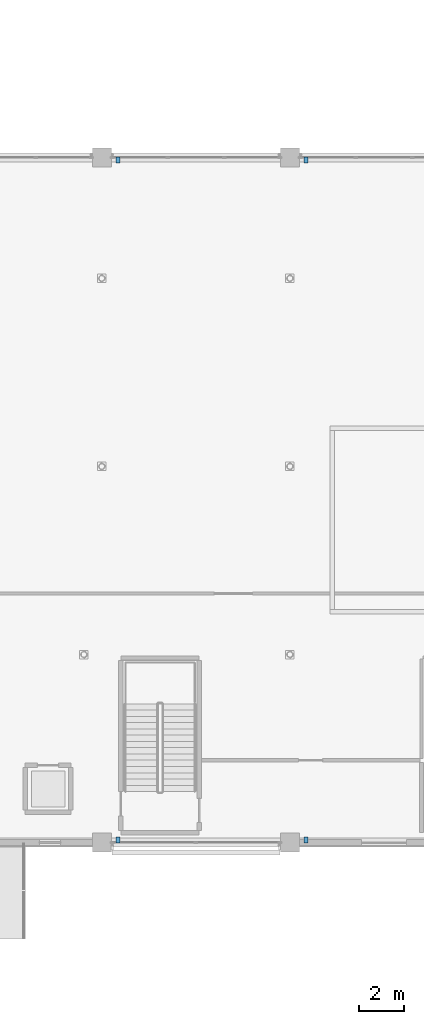
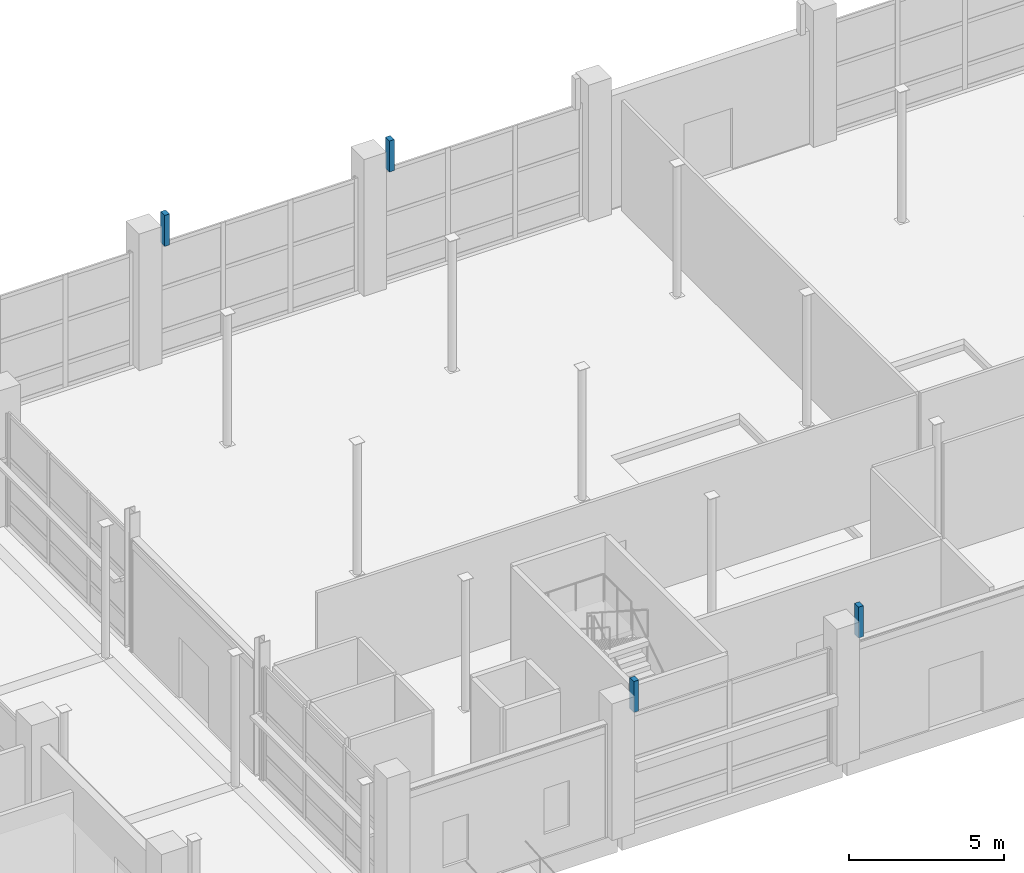
# One storey, part 67 of 140: 4 discrete accessories.
"""IFC4 building model written with IfcOpenShell, lengths in metres."""

from ifc_helpers import new_model, si_unit, direction, frame, origin, origin_2d, place, context, subcontext, project, spatial, rectangle, extrude, material, type_object, element, save


model = new_model("IFC4")

# Units and contexts
model_context = context("Model", 3, precision=1e-05, world=origin(), true_north=direction((0.0, 1.0)))
body_context = subcontext(model_context, "Body", "Model", "MODEL_VIEW")
ifc_project = project(units=[si_unit("LENGTHUNIT", "METRE"), si_unit("AREAUNIT", "SQUARE_METRE"), si_unit("VOLUMEUNIT", "CUBIC_METRE"), si_unit("PLANEANGLEUNIT", "RADIAN"), si_unit("MASSUNIT", "GRAM", prefix="KILO")], contexts=[model_context])

# Site, building, storey
site_placement = place(None, origin())
site = spatial("IfcSite", under=ifc_project, at=site_placement, CompositionType="ELEMENT")
building_placement = place(site_placement, origin())
building = spatial("IfcBuilding", under=site, at=building_placement, Name="Telukmera Botanical Conservatory", CompositionType="ELEMENT")
storey_placement = place(building_placement, origin())
storey = spatial("IfcBuildingStorey", under=building, at=storey_placement, Name="L00", CompositionType="ELEMENT", Elevation=0.0)

# Discrete accessories
ifc_material = material(Name="Steel S355", Category="steel")
discrete_accessory_type = type_object("IfcDiscreteAccessoryType", Name="Structural Steel Gridshell Glazing Shoe Bracket", PredefinedType="BRACKET", material=ifc_material)
for number, where, z_axis, x_axis, name in (
    (1, (126.719970703125, 17.719970703125, 4.43994140625), (0.0, 0.0, 1.0), (1.0, 0.0, 0.0), "Conservatory Eave Glazing Shoe Bracket 02-00"),
    (2, (126.719970703125, 48.080078125, 4.43994140625), (0.0, 0.0, 1.0), (1.0, 0.0, 0.0), "Conservatory Eave Glazing Shoe Bracket 02-12"),
    (3, (135.1201171875, 17.719970703125, 4.43994140625), (0.0, 0.0, 1.0), (1.0, 0.0, 0.0), "Conservatory Eave Glazing Shoe Bracket 04-00"),
    (4, (135.1201171875, 48.080078125, 4.43994140625), (0.0, 0.0, 1.0), (1.0, 0.0, 0.0), "Conservatory Eave Glazing Shoe Bracket 04-12"),
):
    element("IfcDiscreteAccessory", number, at=place(storey_placement, frame(where, z_axis=z_axis, x_axis=x_axis)), inside=storey, type_object=discrete_accessory_type, Name=name, PredefinedType="BRACKET", context=body_context, shape_type="SweptSolid", body=[
        extrude(rectangle(XDim=0.179931640625, YDim=0.260009765625, at=origin_2d()), origin(), (0.0, 0.0, 1.0), 1.22509765625),
    ])

save(model, "model.ifc")
